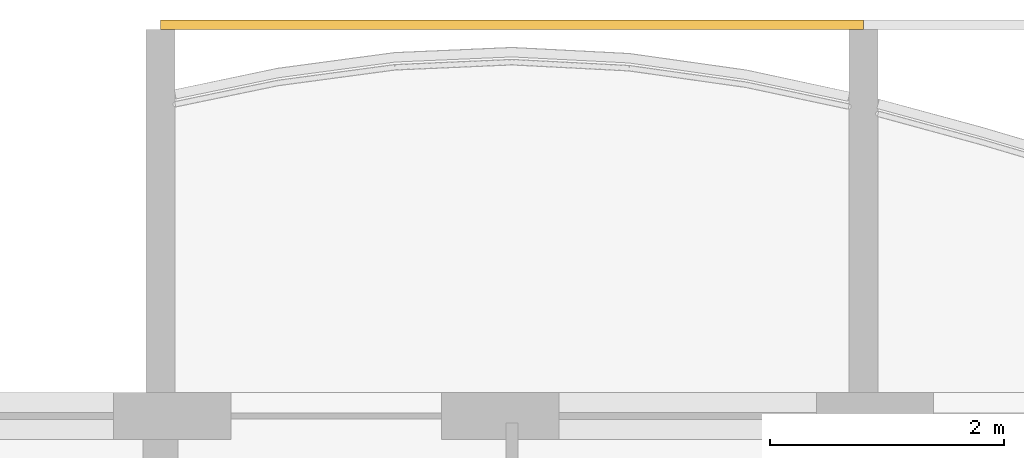
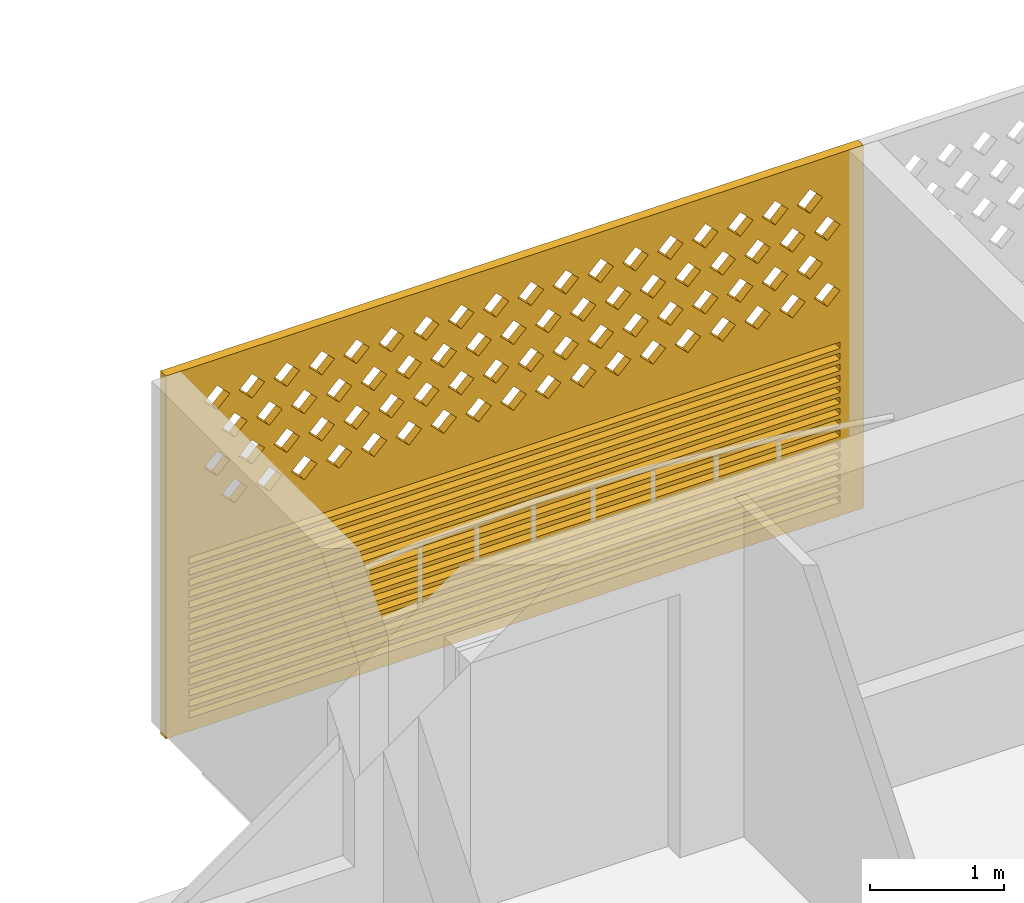
# One storey, part 24 of 32: 1 covering.
"""IFC4 building model written with IfcOpenShell, lengths in metres."""

from ifc_helpers import new_model, si_unit, direction, frame, origin, place, context, subcontext, project, spatial, polyline, outline, extrude, source, transform, mapped, material, material_profile, profile_set, type_object, element, save


model = new_model("IFC4")

# Units and contexts
model_context = context("Model", 3, precision=1e-05, world=origin(), true_north=direction((0.0, 1.0)))
body_context = subcontext(model_context, "Body", "Model", "MODEL_VIEW")
ifc_project = project(units=[si_unit("LENGTHUNIT", "METRE"), si_unit("AREAUNIT", "SQUARE_METRE"), si_unit("VOLUMEUNIT", "CUBIC_METRE"), si_unit("PLANEANGLEUNIT", "RADIAN"), si_unit("MASSUNIT", "GRAM", prefix="KILO")], contexts=[model_context])

# Site, building, storey
site_placement = place(None, origin())
site = spatial("IfcSite", under=ifc_project, at=site_placement, CompositionType="ELEMENT")
building_placement = place(site_placement, origin())
building = spatial("IfcBuilding", under=site, at=building_placement, Name="Poui Terraces", CompositionType="ELEMENT")
storey_placement = place(building_placement, frame((0.0, 0.0, 155.39990234375)))
storey = spatial("IfcBuildingStorey", under=building, at=storey_placement, Name="L43", CompositionType="ELEMENT", Elevation=155.39990234375)

# Covering
ifc_material = material(Name="Terracotta screen", Category="masonry")
ifc_material_profile = material_profile(ifc_material, outline(polyline([(-3.0, -1.64990234375), (3.0, -1.64990234375), (3.0, 1.64990234375), (-3.0, 1.64990234375), (-3.0, -1.64990234375)]), holes=[polyline([(-2.800048828125, 0.39990234375), (-2.68994140625, 0.2900390625), (-2.580078125, 0.39990234375), (-2.68994140625, 0.510009765625), (-2.800048828125, 0.39990234375)]), polyline([(-2.5, 0.39990234375), (-2.389892578125, 0.2900390625), (-2.280029296875, 0.39990234375), (-2.389892578125, 0.510009765625), (-2.5, 0.39990234375)]), polyline([(-2.199951171875, 0.39990234375), (-2.090087890625, 0.2900390625), (-1.97998046875, 0.39990234375), (-2.090087890625, 0.510009765625), (-2.199951171875, 0.39990234375)]), polyline([(-1.89990234375, 0.39990234375), (-1.7900390625, 0.2900390625), (-1.679931640625, 0.39990234375), (-1.7900390625, 0.510009765625), (-1.89990234375, 0.39990234375)]), polyline([(-1.60009765625, 0.39990234375), (-1.489990234375, 0.2900390625), (-1.3798828125, 0.39990234375), (-1.489990234375, 0.510009765625), (-1.60009765625, 0.39990234375)]), polyline([(-1.300048828125, 0.39990234375), (-1.18994140625, 0.2900390625), (-1.080078125, 0.39990234375), (-1.18994140625, 0.510009765625), (-1.300048828125, 0.39990234375)]), polyline([(-1.0, 0.39990234375), (-0.889892578125, 0.2900390625), (-0.780029296875, 0.39990234375), (-0.889892578125, 0.510009765625), (-1.0, 0.39990234375)]), polyline([(-0.699951171875, 0.39990234375), (-0.590087890625, 0.2900390625), (-0.47998046875, 0.39990234375), (-0.590087890625, 0.510009765625), (-0.699951171875, 0.39990234375)]), polyline([(-0.39990234375, 0.39990234375), (-0.2900390625, 0.2900390625), (-0.179931640625, 0.39990234375), (-0.2900390625, 0.510009765625), (-0.39990234375, 0.39990234375)]), polyline([(-0.10009765625, 0.39990234375), (0.010009765625, 0.2900390625), (0.1201171875, 0.39990234375), (0.010009765625, 0.510009765625), (-0.10009765625, 0.39990234375)]), polyline([(0.199951171875, 0.39990234375), (0.31005859375, 0.2900390625), (0.419921875, 0.39990234375), (0.31005859375, 0.510009765625), (0.199951171875, 0.39990234375)]), polyline([(0.5, 0.39990234375), (0.610107421875, 0.2900390625), (0.719970703125, 0.39990234375), (0.610107421875, 0.510009765625), (0.5, 0.39990234375)]), polyline([(0.800048828125, 0.39990234375), (0.909912109375, 0.2900390625), (1.02001953125, 0.39990234375), (0.909912109375, 0.510009765625), (0.800048828125, 0.39990234375)]), polyline([(1.10009765625, 0.39990234375), (1.2099609375, 0.2900390625), (1.320068359375, 0.39990234375), (1.2099609375, 0.510009765625), (1.10009765625, 0.39990234375)]), polyline([(1.39990234375, 0.39990234375), (1.510009765625, 0.2900390625), (1.6201171875, 0.39990234375), (1.510009765625, 0.510009765625), (1.39990234375, 0.39990234375)]), polyline([(1.699951171875, 0.39990234375), (1.81005859375, 0.2900390625), (1.919921875, 0.39990234375), (1.81005859375, 0.510009765625), (1.699951171875, 0.39990234375)]), polyline([(2.0, 0.39990234375), (2.110107421875, 0.2900390625), (2.219970703125, 0.39990234375), (2.110107421875, 0.510009765625), (2.0, 0.39990234375)]), polyline([(2.300048828125, 0.39990234375), (2.409912109375, 0.2900390625), (2.52001953125, 0.39990234375), (2.409912109375, 0.510009765625), (2.300048828125, 0.39990234375)]), polyline([(-2.64990234375, 0.699951171875), (-2.5400390625, 0.590087890625), (-2.429931640625, 0.699951171875), (-2.5400390625, 0.81005859375), (-2.64990234375, 0.699951171875)]), polyline([(-2.35009765625, 0.699951171875), (-2.239990234375, 0.590087890625), (-2.1298828125, 0.699951171875), (-2.239990234375, 0.81005859375), (-2.35009765625, 0.699951171875)]), polyline([(-2.050048828125, 0.699951171875), (-1.93994140625, 0.590087890625), (-1.830078125, 0.699951171875), (-1.93994140625, 0.81005859375), (-2.050048828125, 0.699951171875)]), polyline([(-1.75, 0.699951171875), (-1.639892578125, 0.590087890625), (-1.530029296875, 0.699951171875), (-1.639892578125, 0.81005859375), (-1.75, 0.699951171875)]), polyline([(-1.449951171875, 0.699951171875), (-1.340087890625, 0.590087890625), (-1.22998046875, 0.699951171875), (-1.340087890625, 0.81005859375), (-1.449951171875, 0.699951171875)]), polyline([(-1.14990234375, 0.699951171875), (-1.0400390625, 0.590087890625), (-0.929931640625, 0.699951171875), (-1.0400390625, 0.81005859375), (-1.14990234375, 0.699951171875)]), polyline([(-0.85009765625, 0.699951171875), (-0.739990234375, 0.590087890625), (-0.6298828125, 0.699951171875), (-0.739990234375, 0.81005859375), (-0.85009765625, 0.699951171875)]), polyline([(-0.550048828125, 0.699951171875), (-0.43994140625, 0.590087890625), (-0.330078125, 0.699951171875), (-0.43994140625, 0.81005859375), (-0.550048828125, 0.699951171875)]), polyline([(-0.25, 0.699951171875), (-0.139892578125, 0.590087890625), (-0.030029296875, 0.699951171875), (-0.139892578125, 0.81005859375), (-0.25, 0.699951171875)]), polyline([(0.050048828125, 0.699951171875), (0.159912109375, 0.590087890625), (0.27001953125, 0.699951171875), (0.159912109375, 0.81005859375), (0.050048828125, 0.699951171875)]), polyline([(0.35009765625, 0.699951171875), (0.4599609375, 0.590087890625), (0.570068359375, 0.699951171875), (0.4599609375, 0.81005859375), (0.35009765625, 0.699951171875)]), polyline([(0.64990234375, 0.699951171875), (0.760009765625, 0.590087890625), (0.8701171875, 0.699951171875), (0.760009765625, 0.81005859375), (0.64990234375, 0.699951171875)]), polyline([(0.949951171875, 0.699951171875), (1.06005859375, 0.590087890625), (1.169921875, 0.699951171875), (1.06005859375, 0.81005859375), (0.949951171875, 0.699951171875)]), polyline([(1.25, 0.699951171875), (1.360107421875, 0.590087890625), (1.469970703125, 0.699951171875), (1.360107421875, 0.81005859375), (1.25, 0.699951171875)]), polyline([(1.550048828125, 0.699951171875), (1.659912109375, 0.590087890625), (1.77001953125, 0.699951171875), (1.659912109375, 0.81005859375), (1.550048828125, 0.699951171875)]), polyline([(1.85009765625, 0.699951171875), (1.9599609375, 0.590087890625), (2.070068359375, 0.699951171875), (1.9599609375, 0.81005859375), (1.85009765625, 0.699951171875)]), polyline([(2.14990234375, 0.699951171875), (2.260009765625, 0.590087890625), (2.3701171875, 0.699951171875), (2.260009765625, 0.81005859375), (2.14990234375, 0.699951171875)]), polyline([(2.449951171875, 0.699951171875), (2.56005859375, 0.590087890625), (2.669921875, 0.699951171875), (2.56005859375, 0.81005859375), (2.449951171875, 0.699951171875)]), polyline([(-2.800048828125, 1.0), (-2.68994140625, 0.889892578125), (-2.580078125, 1.0), (-2.68994140625, 1.110107421875), (-2.800048828125, 1.0)]), polyline([(-2.5, 1.0), (-2.389892578125, 0.889892578125), (-2.280029296875, 1.0), (-2.389892578125, 1.110107421875), (-2.5, 1.0)]), polyline([(-2.199951171875, 1.0), (-2.090087890625, 0.889892578125), (-1.97998046875, 1.0), (-2.090087890625, 1.110107421875), (-2.199951171875, 1.0)]), polyline([(-1.89990234375, 1.0), (-1.7900390625, 0.889892578125), (-1.679931640625, 1.0), (-1.7900390625, 1.110107421875), (-1.89990234375, 1.0)]), polyline([(-1.60009765625, 1.0), (-1.489990234375, 0.889892578125), (-1.3798828125, 1.0), (-1.489990234375, 1.110107421875), (-1.60009765625, 1.0)]), polyline([(-1.300048828125, 1.0), (-1.18994140625, 0.889892578125), (-1.080078125, 1.0), (-1.18994140625, 1.110107421875), (-1.300048828125, 1.0)]), polyline([(-1.0, 1.0), (-0.889892578125, 0.889892578125), (-0.780029296875, 1.0), (-0.889892578125, 1.110107421875), (-1.0, 1.0)]), polyline([(-0.699951171875, 1.0), (-0.590087890625, 0.889892578125), (-0.47998046875, 1.0), (-0.590087890625, 1.110107421875), (-0.699951171875, 1.0)]), polyline([(-0.39990234375, 1.0), (-0.2900390625, 0.889892578125), (-0.179931640625, 1.0), (-0.2900390625, 1.110107421875), (-0.39990234375, 1.0)]), polyline([(-0.10009765625, 1.0), (0.010009765625, 0.889892578125), (0.1201171875, 1.0), (0.010009765625, 1.110107421875), (-0.10009765625, 1.0)]), polyline([(0.199951171875, 1.0), (0.31005859375, 0.889892578125), (0.419921875, 1.0), (0.31005859375, 1.110107421875), (0.199951171875, 1.0)]), polyline([(0.5, 1.0), (0.610107421875, 0.889892578125), (0.719970703125, 1.0), (0.610107421875, 1.110107421875), (0.5, 1.0)]), polyline([(0.800048828125, 1.0), (0.909912109375, 0.889892578125), (1.02001953125, 1.0), (0.909912109375, 1.110107421875), (0.800048828125, 1.0)]), polyline([(1.10009765625, 1.0), (1.2099609375, 0.889892578125), (1.320068359375, 1.0), (1.2099609375, 1.110107421875), (1.10009765625, 1.0)]), polyline([(1.39990234375, 1.0), (1.510009765625, 0.889892578125), (1.6201171875, 1.0), (1.510009765625, 1.110107421875), (1.39990234375, 1.0)]), polyline([(1.699951171875, 1.0), (1.81005859375, 0.889892578125), (1.919921875, 1.0), (1.81005859375, 1.110107421875), (1.699951171875, 1.0)]), polyline([(2.0, 1.0), (2.110107421875, 0.889892578125), (2.219970703125, 1.0), (2.110107421875, 1.110107421875), (2.0, 1.0)]), polyline([(2.300048828125, 1.0), (2.409912109375, 0.889892578125), (2.52001953125, 1.0), (2.409912109375, 1.110107421875), (2.300048828125, 1.0)]), polyline([(-2.64990234375, 1.300048828125), (-2.5400390625, 1.18994140625), (-2.429931640625, 1.300048828125), (-2.5400390625, 1.409912109375), (-2.64990234375, 1.300048828125)]), polyline([(-2.35009765625, 1.300048828125), (-2.239990234375, 1.18994140625), (-2.1298828125, 1.300048828125), (-2.239990234375, 1.409912109375), (-2.35009765625, 1.300048828125)]), polyline([(-2.050048828125, 1.300048828125), (-1.93994140625, 1.18994140625), (-1.830078125, 1.300048828125), (-1.93994140625, 1.409912109375), (-2.050048828125, 1.300048828125)]), polyline([(-1.75, 1.300048828125), (-1.639892578125, 1.18994140625), (-1.530029296875, 1.300048828125), (-1.639892578125, 1.409912109375), (-1.75, 1.300048828125)]), polyline([(-1.449951171875, 1.300048828125), (-1.340087890625, 1.18994140625), (-1.22998046875, 1.300048828125), (-1.340087890625, 1.409912109375), (-1.449951171875, 1.300048828125)]), polyline([(-1.14990234375, 1.300048828125), (-1.0400390625, 1.18994140625), (-0.929931640625, 1.300048828125), (-1.0400390625, 1.409912109375), (-1.14990234375, 1.300048828125)]), polyline([(-0.85009765625, 1.300048828125), (-0.739990234375, 1.18994140625), (-0.6298828125, 1.300048828125), (-0.739990234375, 1.409912109375), (-0.85009765625, 1.300048828125)]), polyline([(-0.550048828125, 1.300048828125), (-0.43994140625, 1.18994140625), (-0.330078125, 1.300048828125), (-0.43994140625, 1.409912109375), (-0.550048828125, 1.300048828125)]), polyline([(-0.25, 1.300048828125), (-0.139892578125, 1.18994140625), (-0.030029296875, 1.300048828125), (-0.139892578125, 1.409912109375), (-0.25, 1.300048828125)]), polyline([(0.050048828125, 1.300048828125), (0.159912109375, 1.18994140625), (0.27001953125, 1.300048828125), (0.159912109375, 1.409912109375), (0.050048828125, 1.300048828125)]), polyline([(0.35009765625, 1.300048828125), (0.4599609375, 1.18994140625), (0.570068359375, 1.300048828125), (0.4599609375, 1.409912109375), (0.35009765625, 1.300048828125)]), polyline([(0.64990234375, 1.300048828125), (0.760009765625, 1.18994140625), (0.8701171875, 1.300048828125), (0.760009765625, 1.409912109375), (0.64990234375, 1.300048828125)]), polyline([(0.949951171875, 1.300048828125), (1.06005859375, 1.18994140625), (1.169921875, 1.300048828125), (1.06005859375, 1.409912109375), (0.949951171875, 1.300048828125)]), polyline([(1.25, 1.300048828125), (1.360107421875, 1.18994140625), (1.469970703125, 1.300048828125), (1.360107421875, 1.409912109375), (1.25, 1.300048828125)]), polyline([(1.550048828125, 1.300048828125), (1.659912109375, 1.18994140625), (1.77001953125, 1.300048828125), (1.659912109375, 1.409912109375), (1.550048828125, 1.300048828125)]), polyline([(1.85009765625, 1.300048828125), (1.9599609375, 1.18994140625), (2.070068359375, 1.300048828125), (1.9599609375, 1.409912109375), (1.85009765625, 1.300048828125)]), polyline([(2.14990234375, 1.300048828125), (2.260009765625, 1.18994140625), (2.3701171875, 1.300048828125), (2.260009765625, 1.409912109375), (2.14990234375, 1.300048828125)]), polyline([(2.449951171875, 1.300048828125), (2.56005859375, 1.18994140625), (2.669921875, 1.300048828125), (2.56005859375, 1.409912109375), (2.449951171875, 1.300048828125)]), polyline([(-2.800048828125, -1.530029296875), (2.800048828125, -1.530029296875), (2.800048828125, -1.469970703125), (-2.800048828125, -1.469970703125), (-2.800048828125, -1.530029296875)]), polyline([(-2.800048828125, -1.429931640625), (2.800048828125, -1.429931640625), (2.800048828125, -1.3701171875), (-2.800048828125, -1.3701171875), (-2.800048828125, -1.429931640625)]), polyline([(-2.800048828125, -1.330078125), (2.800048828125, -1.330078125), (2.800048828125, -1.27001953125), (-2.800048828125, -1.27001953125), (-2.800048828125, -1.330078125)]), polyline([(-2.800048828125, -1.22998046875), (2.800048828125, -1.22998046875), (2.800048828125, -1.169921875), (-2.800048828125, -1.169921875), (-2.800048828125, -1.22998046875)]), polyline([(-2.800048828125, -1.1298828125), (2.800048828125, -1.1298828125), (2.800048828125, -1.070068359375), (-2.800048828125, -1.070068359375), (-2.800048828125, -1.1298828125)]), polyline([(-2.800048828125, -1.030029296875), (2.800048828125, -1.030029296875), (2.800048828125, -0.969970703125), (-2.800048828125, -0.969970703125), (-2.800048828125, -1.030029296875)]), polyline([(-2.800048828125, -0.929931640625), (2.800048828125, -0.929931640625), (2.800048828125, -0.8701171875), (-2.800048828125, -0.8701171875), (-2.800048828125, -0.929931640625)]), polyline([(-2.800048828125, -0.830078125), (2.800048828125, -0.830078125), (2.800048828125, -0.77001953125), (-2.800048828125, -0.77001953125), (-2.800048828125, -0.830078125)]), polyline([(-2.800048828125, -0.72998046875), (2.800048828125, -0.72998046875), (2.800048828125, -0.669921875), (-2.800048828125, -0.669921875), (-2.800048828125, -0.72998046875)]), polyline([(-2.800048828125, -0.6298828125), (2.800048828125, -0.6298828125), (2.800048828125, -0.570068359375), (-2.800048828125, -0.570068359375), (-2.800048828125, -0.6298828125)]), polyline([(-2.800048828125, -0.530029296875), (2.800048828125, -0.530029296875), (2.800048828125, -0.469970703125), (-2.800048828125, -0.469970703125), (-2.800048828125, -0.530029296875)]), polyline([(-2.800048828125, -0.429931640625), (2.800048828125, -0.429931640625), (2.800048828125, -0.3701171875), (-2.800048828125, -0.3701171875), (-2.800048828125, -0.429931640625)]), polyline([(-2.800048828125, -0.330078125), (2.800048828125, -0.330078125), (2.800048828125, -0.27001953125), (-2.800048828125, -0.27001953125), (-2.800048828125, -0.330078125)]), polyline([(-2.800048828125, -0.22998046875), (2.800048828125, -0.22998046875), (2.800048828125, -0.169921875), (-2.800048828125, -0.169921875), (-2.800048828125, -0.22998046875)]), polyline([(-2.800048828125, -0.1298828125), (2.800048828125, -0.1298828125), (2.800048828125, -0.070068359375), (-2.800048828125, -0.070068359375), (-2.800048828125, -0.1298828125)])]), Name="TERRACOTTA SCREEN AND JALOUSIE LOUVRE 6000X3300")
ifc_profile_set = profile_set([ifc_material_profile], Name="Terracotta screen")
covering_type = type_object("IfcCoveringType", Name="TERRACOTTA SCREEN AND JALOUSIE LOUVRE 6000X3300", PredefinedType="CLADDING", material=ifc_profile_set)
shared_shape = source(origin(), body_context, "Body", "SweptSolid", [
    extrude(outline(polyline([(-3.0, -1.64990234375), (3.0, -1.64990234375), (3.0, 1.64990234375), (-3.0, 1.64990234375), (-3.0, -1.64990234375)]), holes=[polyline([(-2.800048828125, 0.39990234375), (-2.68994140625, 0.2900390625), (-2.580078125, 0.39990234375), (-2.68994140625, 0.510009765625), (-2.800048828125, 0.39990234375)]), polyline([(-2.5, 0.39990234375), (-2.389892578125, 0.2900390625), (-2.280029296875, 0.39990234375), (-2.389892578125, 0.510009765625), (-2.5, 0.39990234375)]), polyline([(-2.199951171875, 0.39990234375), (-2.090087890625, 0.2900390625), (-1.97998046875, 0.39990234375), (-2.090087890625, 0.510009765625), (-2.199951171875, 0.39990234375)]), polyline([(-1.89990234375, 0.39990234375), (-1.7900390625, 0.2900390625), (-1.679931640625, 0.39990234375), (-1.7900390625, 0.510009765625), (-1.89990234375, 0.39990234375)]), polyline([(-1.60009765625, 0.39990234375), (-1.489990234375, 0.2900390625), (-1.3798828125, 0.39990234375), (-1.489990234375, 0.510009765625), (-1.60009765625, 0.39990234375)]), polyline([(-1.300048828125, 0.39990234375), (-1.18994140625, 0.2900390625), (-1.080078125, 0.39990234375), (-1.18994140625, 0.510009765625), (-1.300048828125, 0.39990234375)]), polyline([(-1.0, 0.39990234375), (-0.889892578125, 0.2900390625), (-0.780029296875, 0.39990234375), (-0.889892578125, 0.510009765625), (-1.0, 0.39990234375)]), polyline([(-0.699951171875, 0.39990234375), (-0.590087890625, 0.2900390625), (-0.47998046875, 0.39990234375), (-0.590087890625, 0.510009765625), (-0.699951171875, 0.39990234375)]), polyline([(-0.39990234375, 0.39990234375), (-0.2900390625, 0.2900390625), (-0.179931640625, 0.39990234375), (-0.2900390625, 0.510009765625), (-0.39990234375, 0.39990234375)]), polyline([(-0.10009765625, 0.39990234375), (0.010009765625, 0.2900390625), (0.1201171875, 0.39990234375), (0.010009765625, 0.510009765625), (-0.10009765625, 0.39990234375)]), polyline([(0.199951171875, 0.39990234375), (0.31005859375, 0.2900390625), (0.419921875, 0.39990234375), (0.31005859375, 0.510009765625), (0.199951171875, 0.39990234375)]), polyline([(0.5, 0.39990234375), (0.610107421875, 0.2900390625), (0.719970703125, 0.39990234375), (0.610107421875, 0.510009765625), (0.5, 0.39990234375)]), polyline([(0.800048828125, 0.39990234375), (0.909912109375, 0.2900390625), (1.02001953125, 0.39990234375), (0.909912109375, 0.510009765625), (0.800048828125, 0.39990234375)]), polyline([(1.10009765625, 0.39990234375), (1.2099609375, 0.2900390625), (1.320068359375, 0.39990234375), (1.2099609375, 0.510009765625), (1.10009765625, 0.39990234375)]), polyline([(1.39990234375, 0.39990234375), (1.510009765625, 0.2900390625), (1.6201171875, 0.39990234375), (1.510009765625, 0.510009765625), (1.39990234375, 0.39990234375)]), polyline([(1.699951171875, 0.39990234375), (1.81005859375, 0.2900390625), (1.919921875, 0.39990234375), (1.81005859375, 0.510009765625), (1.699951171875, 0.39990234375)]), polyline([(2.0, 0.39990234375), (2.110107421875, 0.2900390625), (2.219970703125, 0.39990234375), (2.110107421875, 0.510009765625), (2.0, 0.39990234375)]), polyline([(2.300048828125, 0.39990234375), (2.409912109375, 0.2900390625), (2.52001953125, 0.39990234375), (2.409912109375, 0.510009765625), (2.300048828125, 0.39990234375)]), polyline([(-2.64990234375, 0.699951171875), (-2.5400390625, 0.590087890625), (-2.429931640625, 0.699951171875), (-2.5400390625, 0.81005859375), (-2.64990234375, 0.699951171875)]), polyline([(-2.35009765625, 0.699951171875), (-2.239990234375, 0.590087890625), (-2.1298828125, 0.699951171875), (-2.239990234375, 0.81005859375), (-2.35009765625, 0.699951171875)]), polyline([(-2.050048828125, 0.699951171875), (-1.93994140625, 0.590087890625), (-1.830078125, 0.699951171875), (-1.93994140625, 0.81005859375), (-2.050048828125, 0.699951171875)]), polyline([(-1.75, 0.699951171875), (-1.639892578125, 0.590087890625), (-1.530029296875, 0.699951171875), (-1.639892578125, 0.81005859375), (-1.75, 0.699951171875)]), polyline([(-1.449951171875, 0.699951171875), (-1.340087890625, 0.590087890625), (-1.22998046875, 0.699951171875), (-1.340087890625, 0.81005859375), (-1.449951171875, 0.699951171875)]), polyline([(-1.14990234375, 0.699951171875), (-1.0400390625, 0.590087890625), (-0.929931640625, 0.699951171875), (-1.0400390625, 0.81005859375), (-1.14990234375, 0.699951171875)]), polyline([(-0.85009765625, 0.699951171875), (-0.739990234375, 0.590087890625), (-0.6298828125, 0.699951171875), (-0.739990234375, 0.81005859375), (-0.85009765625, 0.699951171875)]), polyline([(-0.550048828125, 0.699951171875), (-0.43994140625, 0.590087890625), (-0.330078125, 0.699951171875), (-0.43994140625, 0.81005859375), (-0.550048828125, 0.699951171875)]), polyline([(-0.25, 0.699951171875), (-0.139892578125, 0.590087890625), (-0.030029296875, 0.699951171875), (-0.139892578125, 0.81005859375), (-0.25, 0.699951171875)]), polyline([(0.050048828125, 0.699951171875), (0.159912109375, 0.590087890625), (0.27001953125, 0.699951171875), (0.159912109375, 0.81005859375), (0.050048828125, 0.699951171875)]), polyline([(0.35009765625, 0.699951171875), (0.4599609375, 0.590087890625), (0.570068359375, 0.699951171875), (0.4599609375, 0.81005859375), (0.35009765625, 0.699951171875)]), polyline([(0.64990234375, 0.699951171875), (0.760009765625, 0.590087890625), (0.8701171875, 0.699951171875), (0.760009765625, 0.81005859375), (0.64990234375, 0.699951171875)]), polyline([(0.949951171875, 0.699951171875), (1.06005859375, 0.590087890625), (1.169921875, 0.699951171875), (1.06005859375, 0.81005859375), (0.949951171875, 0.699951171875)]), polyline([(1.25, 0.699951171875), (1.360107421875, 0.590087890625), (1.469970703125, 0.699951171875), (1.360107421875, 0.81005859375), (1.25, 0.699951171875)]), polyline([(1.550048828125, 0.699951171875), (1.659912109375, 0.590087890625), (1.77001953125, 0.699951171875), (1.659912109375, 0.81005859375), (1.550048828125, 0.699951171875)]), polyline([(1.85009765625, 0.699951171875), (1.9599609375, 0.590087890625), (2.070068359375, 0.699951171875), (1.9599609375, 0.81005859375), (1.85009765625, 0.699951171875)]), polyline([(2.14990234375, 0.699951171875), (2.260009765625, 0.590087890625), (2.3701171875, 0.699951171875), (2.260009765625, 0.81005859375), (2.14990234375, 0.699951171875)]), polyline([(2.449951171875, 0.699951171875), (2.56005859375, 0.590087890625), (2.669921875, 0.699951171875), (2.56005859375, 0.81005859375), (2.449951171875, 0.699951171875)]), polyline([(-2.800048828125, 1.0), (-2.68994140625, 0.889892578125), (-2.580078125, 1.0), (-2.68994140625, 1.110107421875), (-2.800048828125, 1.0)]), polyline([(-2.5, 1.0), (-2.389892578125, 0.889892578125), (-2.280029296875, 1.0), (-2.389892578125, 1.110107421875), (-2.5, 1.0)]), polyline([(-2.199951171875, 1.0), (-2.090087890625, 0.889892578125), (-1.97998046875, 1.0), (-2.090087890625, 1.110107421875), (-2.199951171875, 1.0)]), polyline([(-1.89990234375, 1.0), (-1.7900390625, 0.889892578125), (-1.679931640625, 1.0), (-1.7900390625, 1.110107421875), (-1.89990234375, 1.0)]), polyline([(-1.60009765625, 1.0), (-1.489990234375, 0.889892578125), (-1.3798828125, 1.0), (-1.489990234375, 1.110107421875), (-1.60009765625, 1.0)]), polyline([(-1.300048828125, 1.0), (-1.18994140625, 0.889892578125), (-1.080078125, 1.0), (-1.18994140625, 1.110107421875), (-1.300048828125, 1.0)]), polyline([(-1.0, 1.0), (-0.889892578125, 0.889892578125), (-0.780029296875, 1.0), (-0.889892578125, 1.110107421875), (-1.0, 1.0)]), polyline([(-0.699951171875, 1.0), (-0.590087890625, 0.889892578125), (-0.47998046875, 1.0), (-0.590087890625, 1.110107421875), (-0.699951171875, 1.0)]), polyline([(-0.39990234375, 1.0), (-0.2900390625, 0.889892578125), (-0.179931640625, 1.0), (-0.2900390625, 1.110107421875), (-0.39990234375, 1.0)]), polyline([(-0.10009765625, 1.0), (0.010009765625, 0.889892578125), (0.1201171875, 1.0), (0.010009765625, 1.110107421875), (-0.10009765625, 1.0)]), polyline([(0.199951171875, 1.0), (0.31005859375, 0.889892578125), (0.419921875, 1.0), (0.31005859375, 1.110107421875), (0.199951171875, 1.0)]), polyline([(0.5, 1.0), (0.610107421875, 0.889892578125), (0.719970703125, 1.0), (0.610107421875, 1.110107421875), (0.5, 1.0)]), polyline([(0.800048828125, 1.0), (0.909912109375, 0.889892578125), (1.02001953125, 1.0), (0.909912109375, 1.110107421875), (0.800048828125, 1.0)]), polyline([(1.10009765625, 1.0), (1.2099609375, 0.889892578125), (1.320068359375, 1.0), (1.2099609375, 1.110107421875), (1.10009765625, 1.0)]), polyline([(1.39990234375, 1.0), (1.510009765625, 0.889892578125), (1.6201171875, 1.0), (1.510009765625, 1.110107421875), (1.39990234375, 1.0)]), polyline([(1.699951171875, 1.0), (1.81005859375, 0.889892578125), (1.919921875, 1.0), (1.81005859375, 1.110107421875), (1.699951171875, 1.0)]), polyline([(2.0, 1.0), (2.110107421875, 0.889892578125), (2.219970703125, 1.0), (2.110107421875, 1.110107421875), (2.0, 1.0)]), polyline([(2.300048828125, 1.0), (2.409912109375, 0.889892578125), (2.52001953125, 1.0), (2.409912109375, 1.110107421875), (2.300048828125, 1.0)]), polyline([(-2.64990234375, 1.300048828125), (-2.5400390625, 1.18994140625), (-2.429931640625, 1.300048828125), (-2.5400390625, 1.409912109375), (-2.64990234375, 1.300048828125)]), polyline([(-2.35009765625, 1.300048828125), (-2.239990234375, 1.18994140625), (-2.1298828125, 1.300048828125), (-2.239990234375, 1.409912109375), (-2.35009765625, 1.300048828125)]), polyline([(-2.050048828125, 1.300048828125), (-1.93994140625, 1.18994140625), (-1.830078125, 1.300048828125), (-1.93994140625, 1.409912109375), (-2.050048828125, 1.300048828125)]), polyline([(-1.75, 1.300048828125), (-1.639892578125, 1.18994140625), (-1.530029296875, 1.300048828125), (-1.639892578125, 1.409912109375), (-1.75, 1.300048828125)]), polyline([(-1.449951171875, 1.300048828125), (-1.340087890625, 1.18994140625), (-1.22998046875, 1.300048828125), (-1.340087890625, 1.409912109375), (-1.449951171875, 1.300048828125)]), polyline([(-1.14990234375, 1.300048828125), (-1.0400390625, 1.18994140625), (-0.929931640625, 1.300048828125), (-1.0400390625, 1.409912109375), (-1.14990234375, 1.300048828125)]), polyline([(-0.85009765625, 1.300048828125), (-0.739990234375, 1.18994140625), (-0.6298828125, 1.300048828125), (-0.739990234375, 1.409912109375), (-0.85009765625, 1.300048828125)]), polyline([(-0.550048828125, 1.300048828125), (-0.43994140625, 1.18994140625), (-0.330078125, 1.300048828125), (-0.43994140625, 1.409912109375), (-0.550048828125, 1.300048828125)]), polyline([(-0.25, 1.300048828125), (-0.139892578125, 1.18994140625), (-0.030029296875, 1.300048828125), (-0.139892578125, 1.409912109375), (-0.25, 1.300048828125)]), polyline([(0.050048828125, 1.300048828125), (0.159912109375, 1.18994140625), (0.27001953125, 1.300048828125), (0.159912109375, 1.409912109375), (0.050048828125, 1.300048828125)]), polyline([(0.35009765625, 1.300048828125), (0.4599609375, 1.18994140625), (0.570068359375, 1.300048828125), (0.4599609375, 1.409912109375), (0.35009765625, 1.300048828125)]), polyline([(0.64990234375, 1.300048828125), (0.760009765625, 1.18994140625), (0.8701171875, 1.300048828125), (0.760009765625, 1.409912109375), (0.64990234375, 1.300048828125)]), polyline([(0.949951171875, 1.300048828125), (1.06005859375, 1.18994140625), (1.169921875, 1.300048828125), (1.06005859375, 1.409912109375), (0.949951171875, 1.300048828125)]), polyline([(1.25, 1.300048828125), (1.360107421875, 1.18994140625), (1.469970703125, 1.300048828125), (1.360107421875, 1.409912109375), (1.25, 1.300048828125)]), polyline([(1.550048828125, 1.300048828125), (1.659912109375, 1.18994140625), (1.77001953125, 1.300048828125), (1.659912109375, 1.409912109375), (1.550048828125, 1.300048828125)]), polyline([(1.85009765625, 1.300048828125), (1.9599609375, 1.18994140625), (2.070068359375, 1.300048828125), (1.9599609375, 1.409912109375), (1.85009765625, 1.300048828125)]), polyline([(2.14990234375, 1.300048828125), (2.260009765625, 1.18994140625), (2.3701171875, 1.300048828125), (2.260009765625, 1.409912109375), (2.14990234375, 1.300048828125)]), polyline([(2.449951171875, 1.300048828125), (2.56005859375, 1.18994140625), (2.669921875, 1.300048828125), (2.56005859375, 1.409912109375), (2.449951171875, 1.300048828125)]), polyline([(-2.800048828125, -1.530029296875), (2.800048828125, -1.530029296875), (2.800048828125, -1.469970703125), (-2.800048828125, -1.469970703125), (-2.800048828125, -1.530029296875)]), polyline([(-2.800048828125, -1.429931640625), (2.800048828125, -1.429931640625), (2.800048828125, -1.3701171875), (-2.800048828125, -1.3701171875), (-2.800048828125, -1.429931640625)]), polyline([(-2.800048828125, -1.330078125), (2.800048828125, -1.330078125), (2.800048828125, -1.27001953125), (-2.800048828125, -1.27001953125), (-2.800048828125, -1.330078125)]), polyline([(-2.800048828125, -1.22998046875), (2.800048828125, -1.22998046875), (2.800048828125, -1.169921875), (-2.800048828125, -1.169921875), (-2.800048828125, -1.22998046875)]), polyline([(-2.800048828125, -1.1298828125), (2.800048828125, -1.1298828125), (2.800048828125, -1.070068359375), (-2.800048828125, -1.070068359375), (-2.800048828125, -1.1298828125)]), polyline([(-2.800048828125, -1.030029296875), (2.800048828125, -1.030029296875), (2.800048828125, -0.969970703125), (-2.800048828125, -0.969970703125), (-2.800048828125, -1.030029296875)]), polyline([(-2.800048828125, -0.929931640625), (2.800048828125, -0.929931640625), (2.800048828125, -0.8701171875), (-2.800048828125, -0.8701171875), (-2.800048828125, -0.929931640625)]), polyline([(-2.800048828125, -0.830078125), (2.800048828125, -0.830078125), (2.800048828125, -0.77001953125), (-2.800048828125, -0.77001953125), (-2.800048828125, -0.830078125)]), polyline([(-2.800048828125, -0.72998046875), (2.800048828125, -0.72998046875), (2.800048828125, -0.669921875), (-2.800048828125, -0.669921875), (-2.800048828125, -0.72998046875)]), polyline([(-2.800048828125, -0.6298828125), (2.800048828125, -0.6298828125), (2.800048828125, -0.570068359375), (-2.800048828125, -0.570068359375), (-2.800048828125, -0.6298828125)]), polyline([(-2.800048828125, -0.530029296875), (2.800048828125, -0.530029296875), (2.800048828125, -0.469970703125), (-2.800048828125, -0.469970703125), (-2.800048828125, -0.530029296875)]), polyline([(-2.800048828125, -0.429931640625), (2.800048828125, -0.429931640625), (2.800048828125, -0.3701171875), (-2.800048828125, -0.3701171875), (-2.800048828125, -0.429931640625)]), polyline([(-2.800048828125, -0.330078125), (2.800048828125, -0.330078125), (2.800048828125, -0.27001953125), (-2.800048828125, -0.27001953125), (-2.800048828125, -0.330078125)]), polyline([(-2.800048828125, -0.22998046875), (2.800048828125, -0.22998046875), (2.800048828125, -0.169921875), (-2.800048828125, -0.169921875), (-2.800048828125, -0.22998046875)]), polyline([(-2.800048828125, -0.1298828125), (2.800048828125, -0.1298828125), (2.800048828125, -0.070068359375), (-2.800048828125, -0.070068359375), (-2.800048828125, -0.1298828125)])]), origin(), (0.0, 0.0, 1.0), 0.080078125),
])
covering_placement = place(storey_placement, frame((45.0, 45.699951171875, 1.4501953125), z_axis=(0.0, 1.0, 0.0), x_axis=(-1.0, 0.0, 0.0)))
element("IfcCovering", 1, at=covering_placement, inside=storey, type_object=covering_type, Name="SOLAR SCREEN AND JALOUSIE LOUVRE", PredefinedType="CLADDING", context=body_context, shape_type="MappedRepresentation", body=[
    mapped(shared_shape, transform((0.0, 0.0, 0.0))),
])

save(model, "model.ifc")
